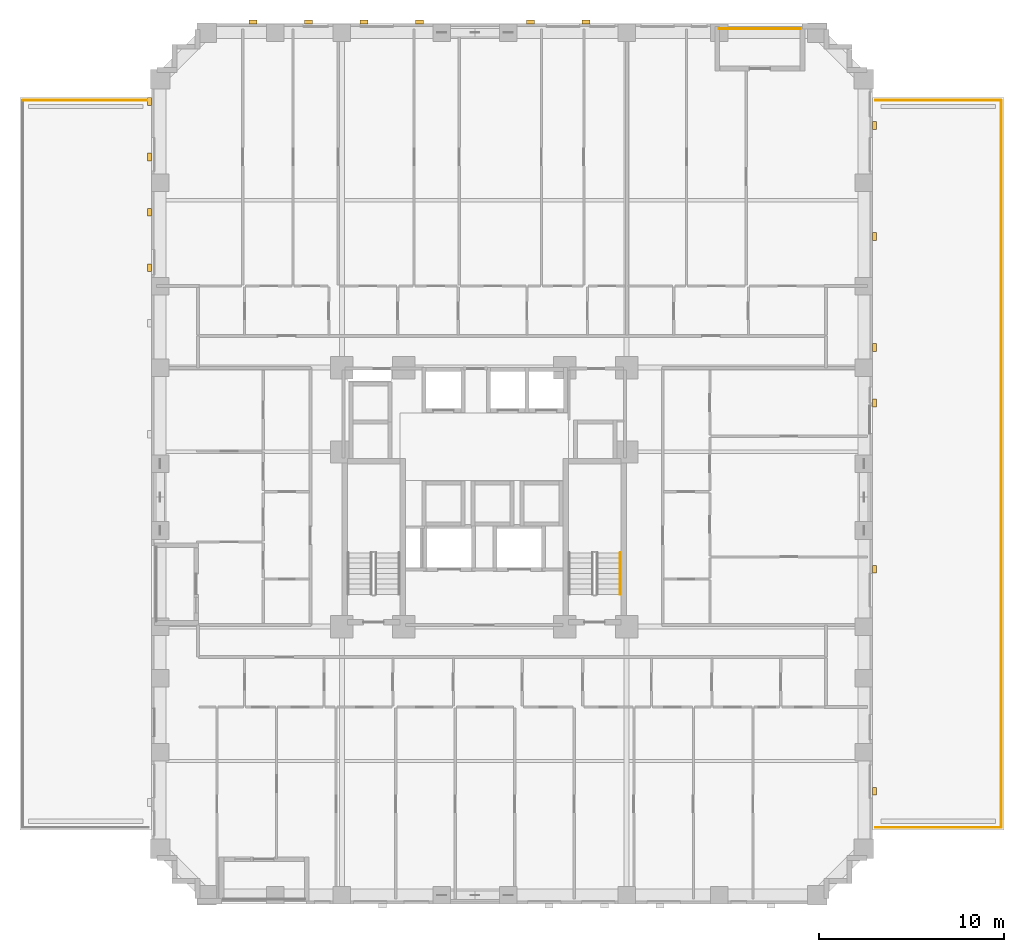
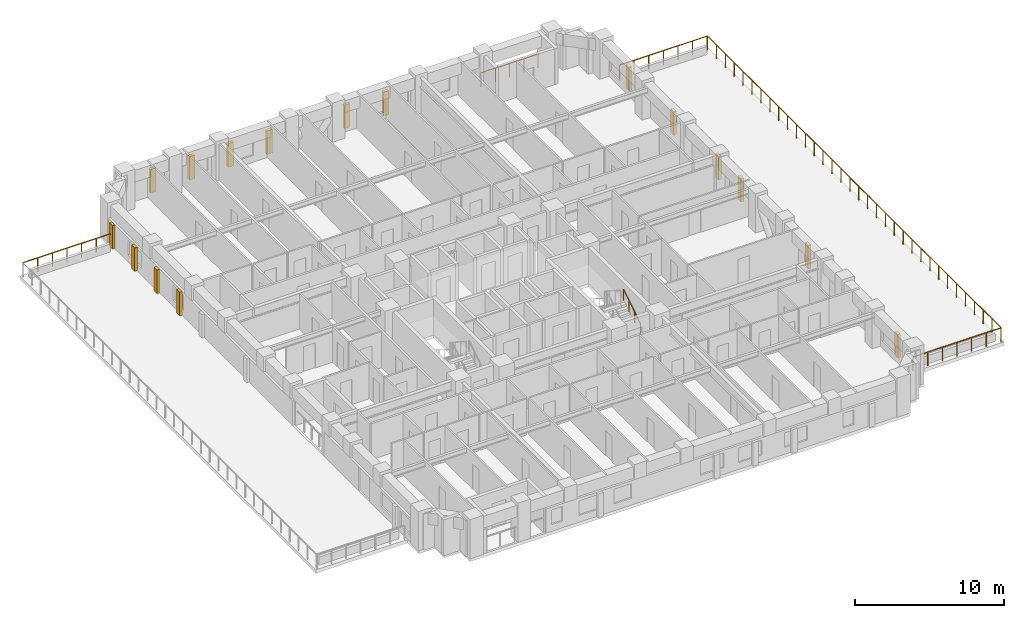
# One storey, part 14 of 14: 16 coverings, 6 railings.
"""IFC4 building model written with IfcOpenShell, lengths in metres."""

from ifc_helpers import new_model, si_unit, derived_unit, direction, frame, origin, origin_2d, place, context, subcontext, project, spatial, rectangle, circle, extrude, material, layer, layer_set, type_object, element, save


model = new_model("IFC4")

# Units and contexts
model_context = context("Model", 3, precision=1e-05, world=origin(), true_north=direction((0.0, 1.0)))
body_context = subcontext(model_context, "Body", "Model", "MODEL_VIEW")
ifc_project = project(units=[si_unit("LENGTHUNIT", "METRE"), si_unit("AREAUNIT", "SQUARE_METRE"), si_unit("VOLUMEUNIT", "CUBIC_METRE"), si_unit("PLANEANGLEUNIT", "RADIAN"), si_unit("MASSUNIT", "GRAM", prefix="KILO"), derived_unit("THERMALTRANSMITTANCEUNIT", [(si_unit("MASSUNIT", "GRAM", prefix="KILO"), 1), (si_unit("TIMEUNIT", "SECOND"), -3), (si_unit("THERMODYNAMICTEMPERATUREUNIT", "KELVIN"), -1)])], contexts=[model_context])

# Site, building, storey
site_placement = place(None, origin())
site = spatial("IfcSite", under=ifc_project, at=site_placement, CompositionType="ELEMENT")
building_placement = place(site_placement, origin())
building = spatial("IfcBuilding", under=site, at=building_placement, Name="Korrvale Station Residences", CompositionType="ELEMENT")
storey_placement = place(building_placement, frame((0.0, 0.0, 25.800048828125)))
storey = spatial("IfcBuildingStorey", under=building, at=storey_placement, Name="L05", CompositionType="ELEMENT", Elevation=25.800048828125)

# Coverings
ifc_material_1 = material(Name="Architectural precast concrete C45/55", Category="concrete")
ifc_layer = layer(ifc_material_1, 0.219970703125, Name="Architectural precast concrete C45/55")
ifc_layer_set = layer_set([ifc_layer], Name="Architectural precast concrete C45/55")
covering_type = type_object("IfcCoveringType", Name="COV-PIER-400", PredefinedType="CLADDING", material=ifc_layer_set)
for number, where, z_axis, x_axis, name in (
    (1, (13.0, 47.68994140625, 0.02490234375), (0.0, 0.0, 1.0), (1.0, 0.0, 0.0), "L05 Architectural Precast Facade Pier 06"),
    (2, (16.0, 47.68994140625, 0.02490234375), (0.0, 0.0, 1.0), (1.0, 0.0, 0.0), "L05 Architectural Precast Facade Pier 07"),
    (3, (19.0, 47.68994140625, 0.02490234375), (0.0, 0.0, 1.0), (1.0, 0.0, 0.0), "L05 Architectural Precast Facade Pier 08"),
    (4, (22.0, 47.68994140625, 0.02490234375), (0.0, 0.0, 1.0), (1.0, 0.0, 0.0), "L05 Architectural Precast Facade Pier 09"),
    (5, (28.0, 47.68994140625, 0.02490234375), (0.0, 0.0, 1.0), (1.0, 0.0, 0.0), "L05 Architectural Precast Facade Pier 10"),
    (6, (31.0, 47.68994140625, 0.02490234375), (0.0, 0.0, 1.0), (1.0, 0.0, 0.0), "L05 Architectural Precast Facade Pier 11"),
    (7, (7.409912109375, 34.39990234375, 0.02490234375), (0.0, 0.0, 1.0), (0.0, 1.0, 0.0), "L05 Architectural Precast Facade Pier 15"),
    (8, (7.409912109375, 37.39990234375, 0.02490234375), (0.0, 0.0, 1.0), (0.0, 1.0, 0.0), "L05 Architectural Precast Facade Pier 16"),
    (9, (7.409912109375, 40.39990234375, 0.02490234375), (0.0, 0.0, 1.0), (0.0, 1.0, 0.0), "L05 Architectural Precast Facade Pier 17"),
    (10, (7.409912109375, 43.39990234375, 0.02490234375), (0.0, 0.0, 1.0), (0.0, 1.0, 0.0), "L05 Architectural Precast Facade Pier 18"),
    (11, (46.590087890625, 42.10009765625, 0.02490234375), (0.0, 0.0, 1.0), (0.0, 1.0, 0.0), "L05 Architectural Precast Facade Pier 19"),
    (12, (46.590087890625, 36.10009765625, 0.02490234375), (0.0, 0.0, 1.0), (0.0, 1.0, 0.0), "L05 Architectural Precast Facade Pier 20"),
    (13, (46.590087890625, 30.10009765625, 0.02490234375), (0.0, 0.0, 1.0), (0.0, 1.0, 0.0), "L05 Architectural Precast Facade Pier 21"),
    (14, (46.590087890625, 27.10009765625, 0.02490234375), (0.0, 0.0, 1.0), (0.0, 1.0, 0.0), "L05 Architectural Precast Facade Pier 22"),
    (15, (46.590087890625, 18.10009765625, 0.02490234375), (0.0, 0.0, 1.0), (0.0, 1.0, 0.0), "L05 Architectural Precast Facade Pier 23"),
    (16, (46.590087890625, 6.10009765625, 0.02490234375), (0.0, 0.0, 1.0), (0.0, 1.0, 0.0), "L05 Architectural Precast Facade Pier 24"),
):
    element("IfcCovering", number, at=place(storey_placement, frame(where, z_axis=z_axis, x_axis=x_axis)), inside=storey, type_object=covering_type, Name=name, PredefinedType="CLADDING", context=body_context, shape_type="SweptSolid", body=[
        extrude(rectangle(XDim=0.419921875, YDim=0.219970703125, at=origin_2d()), origin(), (0.0, 0.0, 1.0), 1.925048828125),
    ])

# Railings
ifc_material_2 = material(Name="Powder-coated aluminium picket loggia guard", Category="aluminium")
railing_type_1 = type_object("IfcRailingType", Name="RLG-BAL-1150", PredefinedType="GUARDRAIL", material=ifc_material_2)
railing_1_placement = place(storey_placement, frame((38.199951171875, 47.330078125, 0.0)))
element("IfcRailing", 17, at=railing_1_placement, inside=storey, type_object=railing_type_1, Name="L05 Recessed Loggia Guardrail BAL-L05-N1", PredefinedType="GUARDRAIL", context=body_context, shape_type="SweptSolid", body=[
    extrude(circle(Radius=0.02392578125, at=origin_2d()), frame((0.0, 0.0, 1.1259765625), z_axis=(1.0, 0.0, 0.0), x_axis=(0.0, 1.0, 0.0)), (0.0, 0.0, 1.0), 4.400146484375),
    extrude(circle(Radius=0.02099609375, at=origin_2d()), origin(), (0.0, 0.0, 1.0), 1.101806640625),
    extrude(circle(Radius=0.02099609375, at=origin_2d()), frame((1.10009765625, 0.0, 0.0)), (0.0, 0.0, 1.0), 1.101806640625),
    extrude(circle(Radius=0.02099609375, at=origin_2d()), frame((2.2001953125, 0.0, 0.0)), (0.0, 0.0, 1.0), 1.101806640625),
    extrude(circle(Radius=0.02099609375, at=origin_2d()), frame((3.300048828125, 0.0, 0.0)), (0.0, 0.0, 1.0), 1.101806640625),
    extrude(circle(Radius=0.02099609375, at=origin_2d()), frame((4.400146484375, 0.0, 0.0)), (0.0, 0.0, 1.0), 1.101806640625),
])
ifc_material_3 = material(Name="Brushed stainless-steel continuous stair handrail", Category="steel")
railing_type_2 = type_object("IfcRailingType", Name="RLG-SHND-900", PredefinedType="HANDRAIL", material=ifc_material_3)
railing_2_placement = place(storey_placement, frame((32.85009765625, 16.75, 0.177734375)))
element("IfcRailing", 18, at=railing_2_placement, inside=storey, type_object=railing_type_2, Name="L05 ST-2 stair handrail 1", PredefinedType="HANDRAIL", context=body_context, shape_type="SweptSolid", body=[
    extrude(circle(Radius=0.02392578125, at=origin_2d()), frame((0.0, 0.0, 0.8759765625), z_axis=(0.0, 0.8442293374, 0.53598211339), x_axis=(-1.0, 0.0, 0.0)), (0.0, 0.0, 1.0), 2.6533203125),
    extrude(circle(Radius=0.02099609375, at=origin_2d()), origin(), (0.0, 0.0, 1.0), 0.851806640625),
    extrude(circle(Radius=0.02099609375, at=origin_2d()), frame((0.0, 0.74658203125, 0.47412109375)), (0.0, 0.0, 1.0), 0.851806640625),
    extrude(circle(Radius=0.02099609375, at=origin_2d()), frame((0.0, 1.493408203125, 0.947998046875)), (0.0, 0.0, 1.0), 0.851806640625),
    extrude(circle(Radius=0.02099609375, at=origin_2d()), frame((0.0, 2.239990234375, 1.422119140625)), (0.0, 0.0, 1.0), 0.851806640625),
])
ifc_material_4 = material(Name="Laminated safety glass and stainless steel balustrade", Category="steel")
railing_type_3 = type_object("IfcRailingType", Name="RLG-TER-1150", PredefinedType="GUARDRAIL", material=ifc_material_4)
for number, where, name in (
    (19, (0.56005859375, 43.4599609375, 0.0), "L05 Setback Terrace Perimeter Guard TER-L05-W-N"),
    (20, (46.659912109375, 4.139892578125, 0.0), "L05 Setback Terrace Perimeter Guard TER-L05-E-S"),
    (21, (46.659912109375, 43.4599609375, 0.0), "L05 Setback Terrace Perimeter Guard TER-L05-E-N"),
):
    element("IfcRailing", number, at=place(storey_placement, frame(where)), inside=storey, type_object=railing_type_3, Name=name, PredefinedType="GUARDRAIL", context=body_context, shape_type="SweptSolid", body=[
        extrude(circle(Radius=0.02392578125, at=origin_2d()), frame((0.0, 0.0, 1.1259765625), z_axis=(1.0, 0.0, 0.0), x_axis=(0.0, 1.0, 0.0)), (0.0, 0.0, 1.0), 6.780029296875),
        extrude(circle(Radius=0.02099609375, at=origin_2d()), origin(), (0.0, 0.0, 1.0), 1.101806640625),
        extrude(circle(Radius=0.02099609375, at=origin_2d()), frame((1.1298828125, 0.0, 0.0)), (0.0, 0.0, 1.0), 1.101806640625),
        extrude(circle(Radius=0.02099609375, at=origin_2d()), frame((2.260009765625, 0.0, 0.0)), (0.0, 0.0, 1.0), 1.101806640625),
        extrude(circle(Radius=0.02099609375, at=origin_2d()), frame((3.39013671875, 0.0, 0.0)), (0.0, 0.0, 1.0), 1.101806640625),
        extrude(circle(Radius=0.02099609375, at=origin_2d()), frame((4.52001953125, 0.0, 0.0)), (0.0, 0.0, 1.0), 1.101806640625),
        extrude(circle(Radius=0.02099609375, at=origin_2d()), frame((5.64990234375, 0.0, 0.0)), (0.0, 0.0, 1.0), 1.101806640625),
        extrude(circle(Radius=0.02099609375, at=origin_2d()), frame((6.780029296875, 0.0, 0.0)), (0.0, 0.0, 1.0), 1.101806640625),
    ])
railing_3_placement = place(storey_placement, frame((53.4599609375, 4.159912109375, 0.0)))
element("IfcRailing", 22, at=railing_3_placement, inside=storey, type_object=railing_type_3, Name="L05 Setback Terrace Perimeter Guard TER-L05-E-E", PredefinedType="GUARDRAIL", context=body_context, shape_type="SweptSolid", body=[
    extrude(circle(Radius=0.02392578125, at=origin_2d()), frame((0.0, 0.0, 1.1259765625), z_axis=(0.0, 1.0, 0.0), x_axis=(-1.0, 0.0, 0.0)), (0.0, 0.0, 1.0), 39.280029296875),
    extrude(circle(Radius=0.02099609375, at=origin_2d()), origin(), (0.0, 0.0, 1.0), 1.101806640625),
    extrude(circle(Radius=0.02099609375, at=origin_2d()), frame((0.0, 1.190185546875, 0.0)), (0.0, 0.0, 1.0), 1.101806640625),
    extrude(circle(Radius=0.02099609375, at=origin_2d()), frame((0.0, 2.380615234375, 0.0)), (0.0, 0.0, 1.0), 1.101806640625),
    extrude(circle(Radius=0.02099609375, at=origin_2d()), frame((0.0, 3.57080078125, 0.0)), (0.0, 0.0, 1.0), 1.101806640625),
    extrude(circle(Radius=0.02099609375, at=origin_2d()), frame((0.0, 4.76123046875, 0.0)), (0.0, 0.0, 1.0), 1.101806640625),
    extrude(circle(Radius=0.02099609375, at=origin_2d()), frame((0.0, 5.951416015625, 0.0)), (0.0, 0.0, 1.0), 1.101806640625),
    extrude(circle(Radius=0.02099609375, at=origin_2d()), frame((0.0, 7.141845703125, 0.0)), (0.0, 0.0, 1.0), 1.101806640625),
    extrude(circle(Radius=0.02099609375, at=origin_2d()), frame((0.0, 8.33203125, 0.0)), (0.0, 0.0, 1.0), 1.101806640625),
    extrude(circle(Radius=0.02099609375, at=origin_2d()), frame((0.0, 9.5224609375, 0.0)), (0.0, 0.0, 1.0), 1.101806640625),
    extrude(circle(Radius=0.02099609375, at=origin_2d()), frame((0.0, 10.712646484375, 0.0)), (0.0, 0.0, 1.0), 1.101806640625),
    extrude(circle(Radius=0.02099609375, at=origin_2d()), frame((0.0, 11.903076171875, 0.0)), (0.0, 0.0, 1.0), 1.101806640625),
    extrude(circle(Radius=0.02099609375, at=origin_2d()), frame((0.0, 13.09326171875, 0.0)), (0.0, 0.0, 1.0), 1.101806640625),
    extrude(circle(Radius=0.02099609375, at=origin_2d()), frame((0.0, 14.28369140625, 0.0)), (0.0, 0.0, 1.0), 1.101806640625),
    extrude(circle(Radius=0.02099609375, at=origin_2d()), frame((0.0, 15.473876953125, 0.0)), (0.0, 0.0, 1.0), 1.101806640625),
    extrude(circle(Radius=0.02099609375, at=origin_2d()), frame((0.0, 16.664306640625, 0.0)), (0.0, 0.0, 1.0), 1.101806640625),
    extrude(circle(Radius=0.02099609375, at=origin_2d()), frame((0.0, 17.8544921875, 0.0)), (0.0, 0.0, 1.0), 1.101806640625),
    extrude(circle(Radius=0.02099609375, at=origin_2d()), frame((0.0, 19.044921875, 0.0)), (0.0, 0.0, 1.0), 1.101806640625),
    extrude(circle(Radius=0.02099609375, at=origin_2d()), frame((0.0, 20.235107421875, 0.0)), (0.0, 0.0, 1.0), 1.101806640625),
    extrude(circle(Radius=0.02099609375, at=origin_2d()), frame((0.0, 21.425537109375, 0.0)), (0.0, 0.0, 1.0), 1.101806640625),
    extrude(circle(Radius=0.02099609375, at=origin_2d()), frame((0.0, 22.61572265625, 0.0)), (0.0, 0.0, 1.0), 1.101806640625),
    extrude(circle(Radius=0.02099609375, at=origin_2d()), frame((0.0, 23.80615234375, 0.0)), (0.0, 0.0, 1.0), 1.101806640625),
    extrude(circle(Radius=0.02099609375, at=origin_2d()), frame((0.0, 24.996337890625, 0.0)), (0.0, 0.0, 1.0), 1.101806640625),
    extrude(circle(Radius=0.02099609375, at=origin_2d()), frame((0.0, 26.186767578125, 0.0)), (0.0, 0.0, 1.0), 1.101806640625),
    extrude(circle(Radius=0.02099609375, at=origin_2d()), frame((0.0, 27.376953125, 0.0)), (0.0, 0.0, 1.0), 1.101806640625),
    extrude(circle(Radius=0.02099609375, at=origin_2d()), frame((0.0, 28.5673828125, 0.0)), (0.0, 0.0, 1.0), 1.101806640625),
    extrude(circle(Radius=0.02099609375, at=origin_2d()), frame((0.0, 29.757568359375, 0.0)), (0.0, 0.0, 1.0), 1.101806640625),
    extrude(circle(Radius=0.02099609375, at=origin_2d()), frame((0.0, 30.947998046875, 0.0)), (0.0, 0.0, 1.0), 1.101806640625),
    extrude(circle(Radius=0.02099609375, at=origin_2d()), frame((0.0, 32.13818359375, 0.0)), (0.0, 0.0, 1.0), 1.101806640625),
    extrude(circle(Radius=0.02099609375, at=origin_2d()), frame((0.0, 33.32861328125, 0.0)), (0.0, 0.0, 1.0), 1.101806640625),
    extrude(circle(Radius=0.02099609375, at=origin_2d()), frame((0.0, 34.518798828125, 0.0)), (0.0, 0.0, 1.0), 1.101806640625),
    extrude(circle(Radius=0.02099609375, at=origin_2d()), frame((0.0, 35.709228515625, 0.0)), (0.0, 0.0, 1.0), 1.101806640625),
    extrude(circle(Radius=0.02099609375, at=origin_2d()), frame((0.0, 36.8994140625, 0.0)), (0.0, 0.0, 1.0), 1.101806640625),
    extrude(circle(Radius=0.02099609375, at=origin_2d()), frame((0.0, 38.08984375, 0.0)), (0.0, 0.0, 1.0), 1.101806640625),
    extrude(circle(Radius=0.02099609375, at=origin_2d()), frame((0.0, 39.280029296875, 0.0)), (0.0, 0.0, 1.0), 1.101806640625),
])

save(model, "model.ifc")
